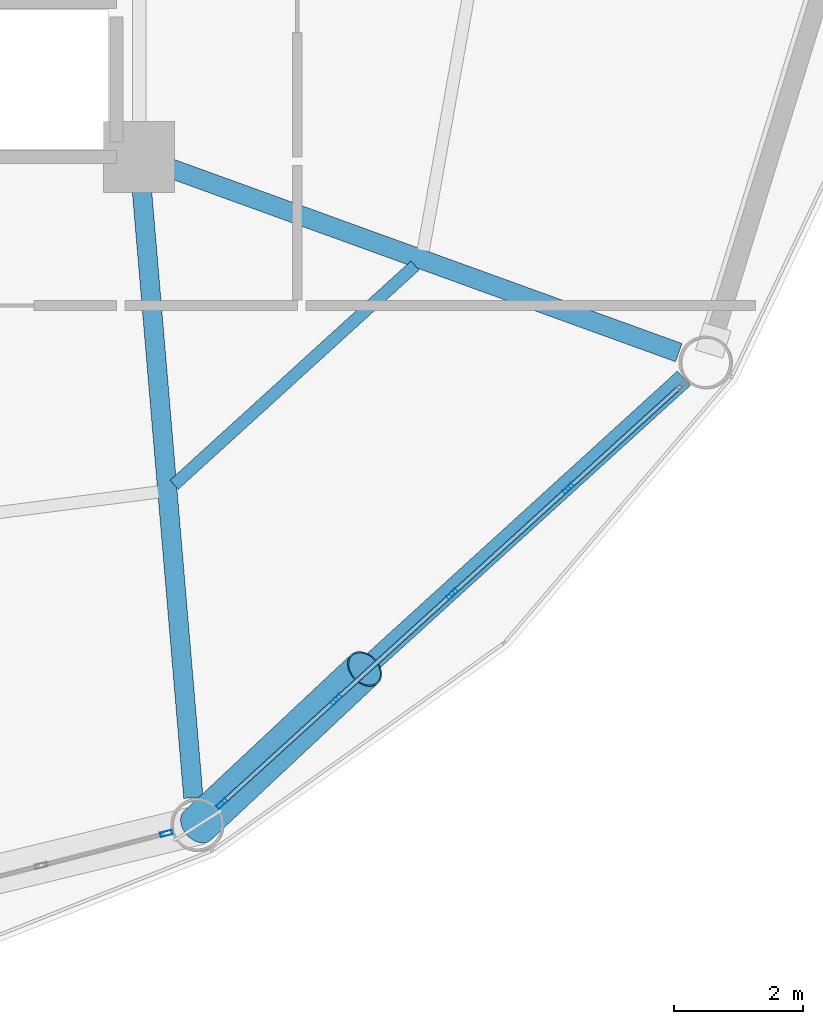
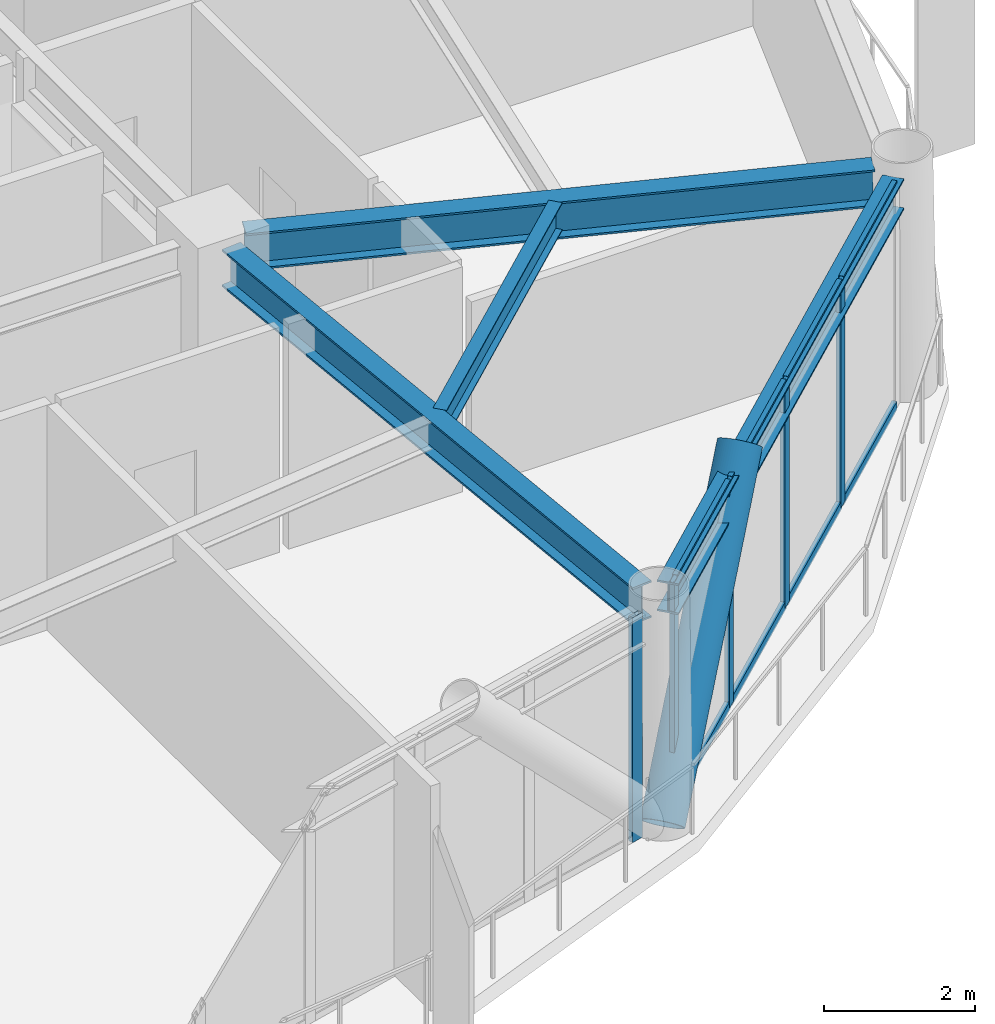
# One storey, part 11 of 25: 14 members, 4 beams, 2 elements without a shape of their own.
"""IFC4 building model written with IfcOpenShell, lengths in metres."""

from ifc_helpers import new_model, si_unit, direction, frame, origin, origin_2d, place, context, subcontext, project, spatial, hollow_rectangle, hollow_circle, i_section, extrude, material, layer, layer_set, material_profile, profile_set, type_object, element, aggregate, save


model = new_model("IFC4")

# Units and contexts
model_context = context("Model", 3, precision=1e-05, world=origin(), true_north=direction((0.0, 1.0)))
body_context = subcontext(model_context, "Body", "Model", "MODEL_VIEW")
ifc_project = project(units=[si_unit("LENGTHUNIT", "METRE"), si_unit("AREAUNIT", "SQUARE_METRE"), si_unit("VOLUMEUNIT", "CUBIC_METRE"), si_unit("PLANEANGLEUNIT", "RADIAN"), si_unit("MASSUNIT", "GRAM", prefix="KILO")], contexts=[model_context])

# Site, building, storey
site_placement = place(None, origin())
site = spatial("IfcSite", under=ifc_project, at=site_placement, CompositionType="ELEMENT")
building_placement = place(site_placement, origin())
building = spatial("IfcBuilding", under=site, at=building_placement, Name="Varnakorn Sky Granary", CompositionType="ELEMENT")
storey_placement = place(building_placement, frame((0.0, 0.0, 99.300048828125)))
storey = spatial("IfcBuildingStorey", under=building, at=storey_placement, Name="L24", CompositionType="ELEMENT", Elevation=99.300048828125)

# Beams
ifc_material_1 = material(Name="Steel S355JR", Category="steel")
ifc_material_profile_1 = material_profile(ifc_material_1, i_section(OverallWidth=0.300048828125, OverallDepth=0.60009765625, WebThickness=0.015380859375, FlangeThickness=0.030029296875, at=origin_2d()), Name="HE 600 B")
ifc_profile_set_1 = profile_set([ifc_material_profile_1], Name="Steel S355JR")
beam_type_1 = type_object("IfcBeamType", Name="BM-RAD-Z2", PredefinedType="BEAM", material=ifc_profile_set_1)
beam_1_placement = place(storey_placement, frame((8.385498046875, -7.0185546875, 3.33984375), z_axis=(0.084473670734, -0.996425711708, 0.0), x_axis=(0.996425711708, 0.084473670734, 0.0)))
element("IfcBeam", 1, at=beam_1_placement, inside=storey, type_object=beam_type_1, Name="Radial Floor Girder RG11 L24", PredefinedType="BEAM", context=body_context, shape_type="SweptSolid", body=[
    extrude(i_section(OverallWidth=0.300048828125, OverallDepth=0.60009765625, WebThickness=0.015380859375, FlangeThickness=0.030029296875, at=origin_2d()), origin(), (0.0, 0.0, 1.0), 9.53466796875),
])
beam_2_placement = place(storey_placement, frame((8.744873046875, -6.7431640625, 3.33984375), z_axis=(0.940137219779, -0.340796138455, 0.0), x_axis=(0.340796138455, 0.940137219779, 0.0)))
element("IfcBeam", 2, at=beam_2_placement, inside=storey, type_object=beam_type_1, Name="Radial Floor Girder RG12 L24", PredefinedType="BEAM", context=body_context, shape_type="SweptSolid", body=[
    extrude(i_section(OverallWidth=0.300048828125, OverallDepth=0.60009765625, WebThickness=0.015380859375, FlangeThickness=0.030029296875, at=origin_2d()), origin(), (0.0, 0.0, 1.0), 8.46826171875),
])
ifc_material_profile_2 = material_profile(ifc_material_1, i_section(OverallWidth=0.18994140625, OverallDepth=0.449951171875, WebThickness=0.009521484375, FlangeThickness=0.0146484375, at=origin_2d()), Name="IPE 450")
ifc_profile_set_2 = profile_set([ifc_material_profile_2], Name="Steel S355JR")
beam_type_2 = type_object("IfcBeamType", Name="BM-SEC-Z2", PredefinedType="BEAM", material=ifc_profile_set_2)
beam_3_placement = place(storey_placement, frame((8.891845703125, -11.674560546875, 3.4150390625), z_axis=(0.739626764546, 0.673017272562, 0.0), x_axis=(-0.673017272562, 0.739626764546, 0.0)))
element("IfcBeam", 3, at=beam_3_placement, inside=storey, type_object=beam_type_2, Name="Secondary Floor Chord Beam MSB11 L24", PredefinedType="BEAM", context=body_context, shape_type="SweptSolid", body=[
    extrude(i_section(OverallWidth=0.18994140625, OverallDepth=0.449951171875, WebThickness=0.009521484375, FlangeThickness=0.0146484375, at=origin_2d()), origin(), (0.0, 0.0, 1.0), 5.04345703125),
])
ifc_material_profile_3 = material_profile(ifc_material_1, i_section(OverallWidth=0.300048828125, OverallDepth=0.5, WebThickness=0.014404296875, FlangeThickness=0.028076171875, at=origin_2d()), Name="HE 500 B")
ifc_profile_set_3 = profile_set([ifc_material_profile_3], Name="Steel S355JR")
beam_type_3 = type_object("IfcBeamType", Name="BM-SPD-Z2", PredefinedType="SPANDREL", material=ifc_profile_set_3)
beam_4_placement = place(storey_placement, frame((9.513427734375, -16.6455078125, 3.389892578125), z_axis=(0.739474794298, 0.673184245655, 0.0), x_axis=(-0.673184245655, 0.739474794298, 0.0)))
element("IfcBeam", 4, at=beam_4_placement, inside=storey, type_object=beam_type_3, Name="Perimeter Spandrel Ring Beam RB11 L24", PredefinedType="SPANDREL", context=body_context, shape_type="SweptSolid", body=[
    extrude(i_section(OverallWidth=0.300048828125, OverallDepth=0.5, WebThickness=0.014404296875, FlangeThickness=0.028076171875, at=origin_2d()), origin(), (0.0, 0.0, 1.0), 9.833251953125),
])

# Curtain wall, member
ifc_material_2 = material(Name="Anodised Bronze Aluminium Alloy 6063-T6", Category="aluminium")
ifc_layer = layer(ifc_material_2, 0.18994140625, Name="Anodised Bronze Aluminium Alloy 6063-T6")
ifc_layer_set = layer_set([ifc_layer], Name="Anodised Bronze Aluminium Alloy 6063-T6")
curtain_wall_type = type_object("IfcCurtainWallType", Name="CW-FRM-1", PredefinedType="USERDEFINED", material=ifc_layer_set)
curtain_wall_1_placement = place(storey_placement, origin())
curtain_wall_1 = element("IfcCurtainWall", 5, at=curtain_wall_1_placement, inside=storey, type_object=curtain_wall_type, Name="Unitised Curtain Wall CW3 CW-L24-B10", ObjectType="CURTAIN WALL", PredefinedType="USERDEFINED")
ifc_material_profile_4 = material_profile(ifc_material_2, hollow_rectangle(XDim=0.070068359375, YDim=0.18505859375, WallThickness=0.00390625, at=origin_2d()), Name="ALU MULL 70x185")
ifc_profile_set_4 = profile_set([ifc_material_profile_4], Name="Anodised Bronze Aluminium Alloy 6063-T6")
member_type_1 = type_object("IfcMemberType", Name="CW-FRM-1-MULL", PredefinedType="MULLION", material=ifc_profile_set_4)
member_1_placement = place(storey_placement, frame((8.771728515625, -17.07421875, 0.0), z_axis=(0.0, 0.0, 1.0), x_axis=(0.248284052868, -0.968687271049, 0.0)))
member_1 = element("IfcMember", 6, at=member_1_placement, type_object=member_type_1, Name="CW3 mullion 1", PredefinedType="MULLION", context=body_context, shape_type="SweptSolid", body=[
    extrude(hollow_rectangle(XDim=0.070068359375, YDim=0.18505859375, WallThickness=0.00390625, at=origin_2d()), origin(), (0.0, 0.0, 1.0), 3.639892578125),
])
aggregate(curtain_wall_1, [member_1])

# Curtain wall, members
curtain_wall_2_placement = place(storey_placement, origin())
curtain_wall_2 = element("IfcCurtainWall", 7, at=curtain_wall_2_placement, inside=storey, type_object=curtain_wall_type, Name="Unitised Curtain Wall CW3 CW-L24-B11", ObjectType="CURTAIN WALL", PredefinedType="USERDEFINED")
member_2_placement = place(storey_placement, frame((14.9912109375, -11.73388671875, 0.0), z_axis=(0.0, 0.0, 1.0), x_axis=(0.672918732545, -0.739716418224, 0.0)))
member_2 = element("IfcMember", 8, at=member_2_placement, type_object=member_type_1, Name="CW3 mullion 2", PredefinedType="MULLION", context=body_context, shape_type="SweptSolid", body=[
    extrude(hollow_rectangle(XDim=0.070068359375, YDim=0.18505859375, WallThickness=0.00390625, at=origin_2d()), origin(), (0.0, 0.0, 1.0), 3.639892578125),
])
member_3_placement = place(storey_placement, frame((13.195068359375, -13.367919921875, 0.0), z_axis=(0.0, 0.0, 1.0), x_axis=(0.672918732545, -0.739716418224, 0.0)))
member_3 = element("IfcMember", 9, at=member_3_placement, type_object=member_type_1, Name="CW3 mullion 3", PredefinedType="MULLION", context=body_context, shape_type="SweptSolid", body=[
    extrude(hollow_rectangle(XDim=0.070068359375, YDim=0.18505859375, WallThickness=0.00390625, at=origin_2d()), origin(), (0.0, 0.0, 1.0), 3.639892578125),
])
member_4_placement = place(storey_placement, frame((11.398681640625, -15.001953125, 0.0), z_axis=(0.0, 0.0, 1.0), x_axis=(0.672918732545, -0.739716418224, 0.0)))
member_4 = element("IfcMember", 10, at=member_4_placement, type_object=member_type_1, Name="CW3 mullion 4", PredefinedType="MULLION", context=body_context, shape_type="SweptSolid", body=[
    extrude(hollow_rectangle(XDim=0.070068359375, YDim=0.18505859375, WallThickness=0.00390625, at=origin_2d()), origin(), (0.0, 0.0, 1.0), 3.639892578125),
])
member_5_placement = place(storey_placement, frame((9.62841796875, -16.6123046875, 0.0), z_axis=(0.0, 0.0, 1.0), x_axis=(0.672918732545, -0.739716418224, 0.0)))
member_5 = element("IfcMember", 11, at=member_5_placement, type_object=member_type_1, Name="CW3 mullion 5", PredefinedType="MULLION", context=body_context, shape_type="SweptSolid", body=[
    extrude(hollow_rectangle(XDim=0.070068359375, YDim=0.18505859375, WallThickness=0.00390625, at=origin_2d()), origin(), (0.0, 0.0, 1.0), 3.639892578125),
])
ifc_material_profile_5 = material_profile(ifc_material_2, hollow_rectangle(XDim=0.070068359375, YDim=0.139892578125, WallThickness=0.00341796875, at=origin_2d()), Name="ALU TRAN 70x140")
ifc_profile_set_5 = profile_set([ifc_material_profile_5], Name="Anodised Bronze Aluminium Alloy 6063-T6")
member_type_2 = type_object("IfcMemberType", Name="CW-FRM-1-TRAN", PredefinedType="USERDEFINED", material=ifc_profile_set_5)
member_6_placement = place(storey_placement, frame((16.735595703125, -10.14697265625, 0.034912109375), z_axis=(-0.739683254205, -0.672955186806, 0.0), x_axis=(0.672955186806, -0.739683254205, 0.0)))
member_6 = element("IfcMember", 12, at=member_6_placement, type_object=member_type_2, Name="CW3 transom 1.1", ObjectType="TRANSOM", PredefinedType="USERDEFINED", context=body_context, shape_type="SweptSolid", body=[
    extrude(hollow_rectangle(XDim=0.070068359375, YDim=0.139892578125, WallThickness=0.00341796875, at=origin_2d()), origin(), (0.0, 0.0, 1.0), 2.3232421875),
])
member_7_placement = place(storey_placement, frame((16.735595703125, -10.14697265625, 3.60498046875), z_axis=(-0.739683254205, -0.672955186806, 0.0), x_axis=(0.672955186806, -0.739683254205, 0.0)))
member_7 = element("IfcMember", 13, at=member_7_placement, type_object=member_type_2, Name="CW3 transom 1.2", ObjectType="TRANSOM", PredefinedType="USERDEFINED", context=body_context, shape_type="SweptSolid", body=[
    extrude(hollow_rectangle(XDim=0.070068359375, YDim=0.139892578125, WallThickness=0.00341796875, at=origin_2d()), origin(), (0.0, 0.0, 1.0), 2.3232421875),
])
member_8_placement = place(storey_placement, frame((14.96533203125, -11.757568359375, 0.034912109375), z_axis=(-0.739757337336, -0.672873748824, 0.0), x_axis=(0.672873748824, -0.739757337336, 0.0)))
member_8 = element("IfcMember", 14, at=member_8_placement, type_object=member_type_2, Name="CW3 transom 2.1", ObjectType="TRANSOM", PredefinedType="USERDEFINED", context=body_context, shape_type="SweptSolid", body=[
    extrude(hollow_rectangle(XDim=0.070068359375, YDim=0.139892578125, WallThickness=0.00341796875, at=origin_2d()), origin(), (0.0, 0.0, 1.0), 2.358154296875),
])
member_9_placement = place(storey_placement, frame((14.96533203125, -11.757568359375, 3.60498046875), z_axis=(-0.739757337336, -0.672873748824, 0.0), x_axis=(0.672873748824, -0.739757337336, 0.0)))
member_9 = element("IfcMember", 15, at=member_9_placement, type_object=member_type_2, Name="CW3 transom 2.2", ObjectType="TRANSOM", PredefinedType="USERDEFINED", context=body_context, shape_type="SweptSolid", body=[
    extrude(hollow_rectangle(XDim=0.070068359375, YDim=0.139892578125, WallThickness=0.00341796875, at=origin_2d()), origin(), (0.0, 0.0, 1.0), 2.358154296875),
])
member_10_placement = place(storey_placement, frame((13.169189453125, -13.391357421875, 0.034912109375), z_axis=(-0.739705802851, -0.672930401474, 0.0), x_axis=(0.672930401474, -0.739705802851, 0.0)))
member_10 = element("IfcMember", 16, at=member_10_placement, type_object=member_type_2, Name="CW3 transom 3.1", ObjectType="TRANSOM", PredefinedType="USERDEFINED", context=body_context, shape_type="SweptSolid", body=[
    extrude(hollow_rectangle(XDim=0.070068359375, YDim=0.139892578125, WallThickness=0.00341796875, at=origin_2d()), origin(), (0.0, 0.0, 1.0), 2.358154296875),
])
member_11_placement = place(storey_placement, frame((13.169189453125, -13.391357421875, 3.60498046875), z_axis=(-0.739705802851, -0.672930401474, 0.0), x_axis=(0.672930401474, -0.739705802851, 0.0)))
member_11 = element("IfcMember", 17, at=member_11_placement, type_object=member_type_2, Name="CW3 transom 3.2", ObjectType="TRANSOM", PredefinedType="USERDEFINED", context=body_context, shape_type="SweptSolid", body=[
    extrude(hollow_rectangle(XDim=0.070068359375, YDim=0.139892578125, WallThickness=0.00341796875, at=origin_2d()), origin(), (0.0, 0.0, 1.0), 2.358154296875),
])
member_12_placement = place(storey_placement, frame((11.372802734375, -15.025390625, 0.034912109375), z_axis=(-0.739683254205, -0.672955186806, 0.0), x_axis=(0.672955186806, -0.739683254205, 0.0)))
member_12 = element("IfcMember", 18, at=member_12_placement, type_object=member_type_2, Name="CW3 transom 4.1", ObjectType="TRANSOM", PredefinedType="USERDEFINED", context=body_context, shape_type="SweptSolid", body=[
    extrude(hollow_rectangle(XDim=0.070068359375, YDim=0.139892578125, WallThickness=0.00341796875, at=origin_2d()), origin(), (0.0, 0.0, 1.0), 2.3232421875),
])
member_13_placement = place(storey_placement, frame((11.372802734375, -15.025390625, 3.60498046875), z_axis=(-0.739683254205, -0.672955186806, 0.0), x_axis=(0.672955186806, -0.739683254205, 0.0)))
member_13 = element("IfcMember", 19, at=member_13_placement, type_object=member_type_2, Name="CW3 transom 4.2", ObjectType="TRANSOM", PredefinedType="USERDEFINED", context=body_context, shape_type="SweptSolid", body=[
    extrude(hollow_rectangle(XDim=0.070068359375, YDim=0.139892578125, WallThickness=0.00341796875, at=origin_2d()), origin(), (0.0, 0.0, 1.0), 2.3232421875),
])
aggregate(curtain_wall_2, [member_2, member_3, member_4, member_5, member_6, member_7, member_8, member_9, member_10, member_11, member_12, member_13])

# Member
ifc_material_3 = material(Name="Steel S460M", Category="steel")
ifc_material_profile_6 = material_profile(ifc_material_3, hollow_circle(Radius=0.304931640625, WallThickness=0.022216796875, at=origin_2d()), Name="CHS 610x22")
ifc_profile_set_6 = profile_set([ifc_material_profile_6], Name="Steel S460M")
member_type_3 = type_object("IfcMemberType", Name="MB-DIAG-T1", PredefinedType="BRACE", material=ifc_profile_set_6)
member_14_placement = place(storey_placement, frame((9.257568359375, -16.94970703125, 0.0), z_axis=(0.497998115844, 0.467076202782, 0.730641976218), x_axis=(-0.684099330985, 0.729388857432, 0.0)))
element("IfcMember", 20, at=member_14_placement, inside=storey, type_object=member_type_3, Name="Perimeter CHS Diagrid Brace DG11 L24", PredefinedType="BRACE", context=body_context, shape_type="SweptSolid", body=[
    extrude(hollow_circle(Radius=0.304931640625, WallThickness=0.022216796875, at=origin_2d()), origin(), (0.0, 0.0, 1.0), 5.187255859375),
])

save(model, "model.ifc")
